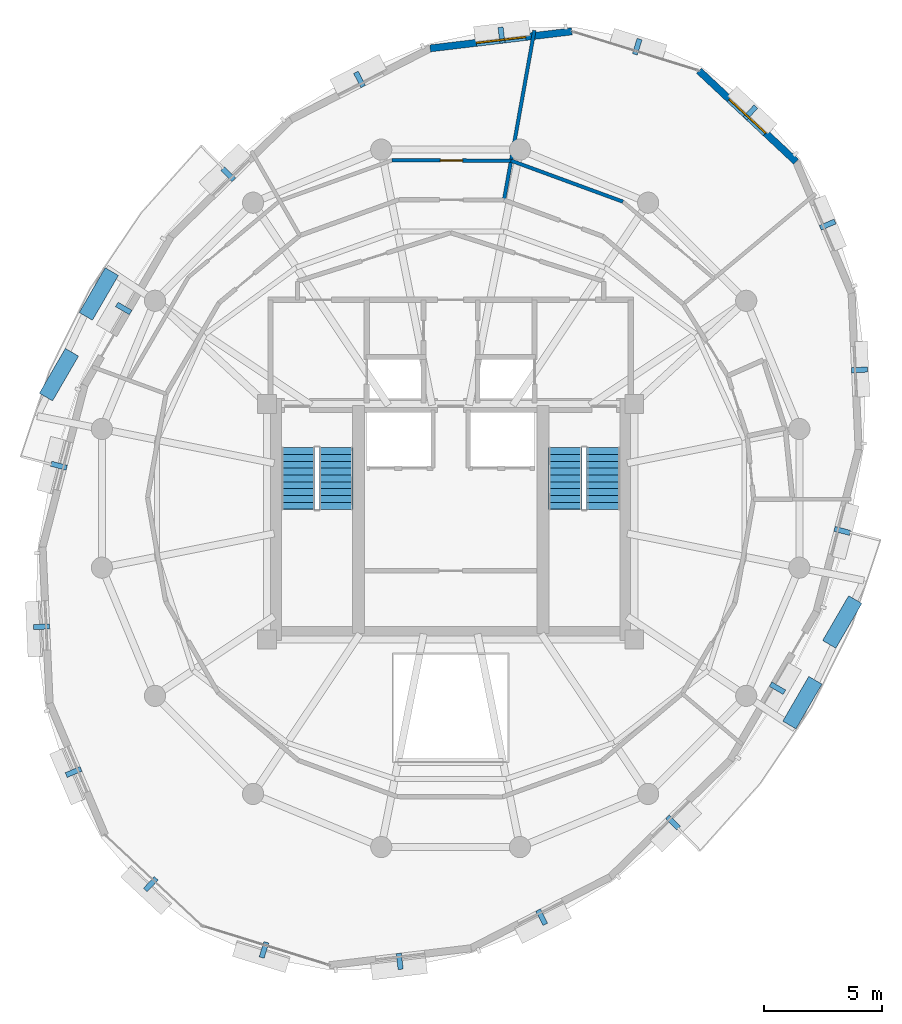
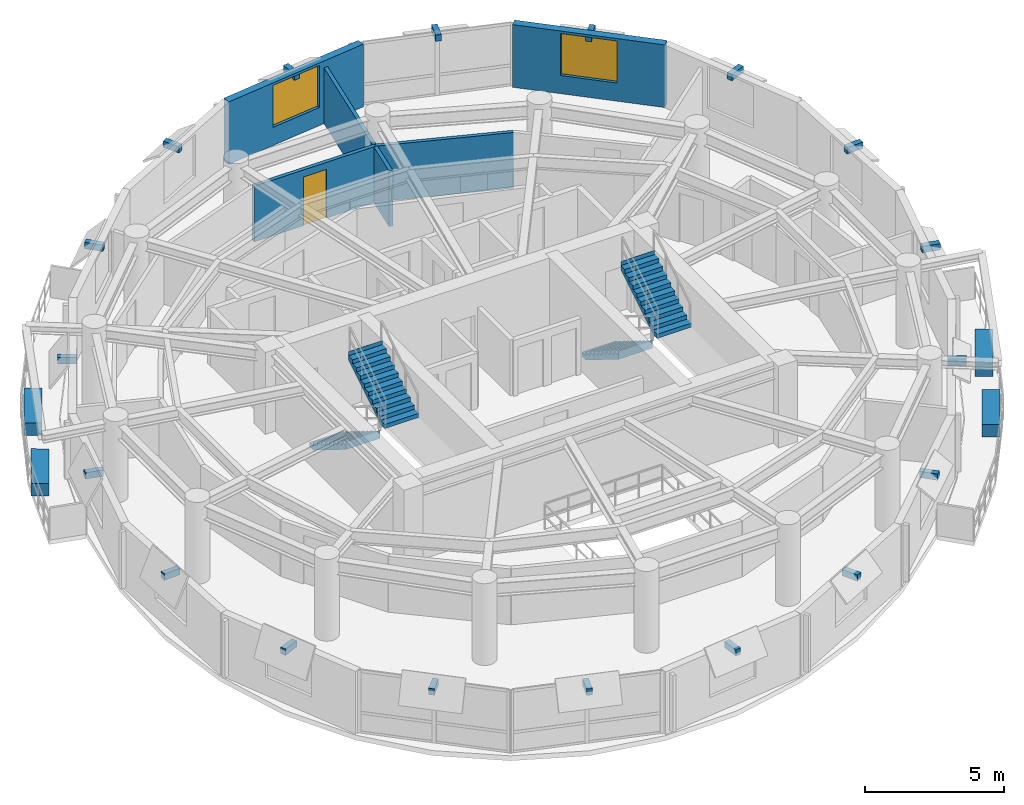
# One storey, part 9 of 11: 22 discrete accessories, 5 walls, 4 stair flights, 2 windows, 1 door, 3 openings, 2 elements without a shape of their own.
"""IFC4 building model written with IfcOpenShell, lengths in metres."""

from ifc_helpers import new_model, si_unit, direction, frame, frame_2d, origin, origin_2d, place, context, subcontext, project, spatial, polyline, rectangle, outline, extrude, material, layer, layer_set, type_object, element, fill, aggregate, save


model = new_model("IFC4")

# Units and contexts
model_context = context("Model", 3, precision=1e-05, world=origin(), true_north=direction((0.0, 1.0)))
body_context = subcontext(model_context, "Body", "Model", "MODEL_VIEW")
ifc_project = project(units=[si_unit("LENGTHUNIT", "METRE"), si_unit("AREAUNIT", "SQUARE_METRE"), si_unit("VOLUMEUNIT", "CUBIC_METRE"), si_unit("PLANEANGLEUNIT", "RADIAN"), si_unit("MASSUNIT", "GRAM", prefix="KILO"), si_unit("THERMODYNAMICTEMPERATUREUNIT", "KELVIN"), si_unit("POWERUNIT", "WATT")], contexts=[model_context])

# Site, building, storey
site_placement = place(None, origin())
site = spatial("IfcSite", under=ifc_project, at=site_placement, CompositionType="ELEMENT")
building_placement = place(site_placement, origin())
building = spatial("IfcBuilding", under=site, at=building_placement, Name="Ocrelia Relay Tower", CompositionType="ELEMENT")
storey_placement = place(building_placement, frame((0.0, 0.0, 277.199951171875)))
storey = spatial("IfcBuildingStorey", under=building, at=storey_placement, Name="L69", CompositionType="ELEMENT", Elevation=277.199951171875)

# Wall, opening, window
ifc_material_1 = material(Name="Precast concrete C40/50 with oxide terracotta", Category="masonry")
ifc_layer_1 = layer(ifc_material_1, 0.300048828125, Name="Precast concrete C40/50 with oxide terracotta")
ifc_layer_set_1 = layer_set([ifc_layer_1], Name="Precast concrete C40/50 with oxide terracotta")
wall_type_1 = type_object("IfcWallType", Name="W-EXT-TERR-300", PredefinedType="SOLIDWALL", material=ifc_layer_set_1)
wall_1_placement = place(storey_placement, frame((39.14990234375, 45.82958984375, 0.0), z_axis=(0.0, 0.0, 1.0), x_axis=(-0.992897596108, -0.118972112883, 0.0)))
wall_1 = element("IfcWall", 1, at=wall_1_placement, inside=storey, type_object=wall_type_1, Name="L69 Oxide Terracotta Facade Wall 02", PredefinedType="SOLIDWALL", context=body_context, shape_type="SweptSolid", body=[
    extrude(rectangle(XDim=6.061767578125, YDim=0.300048828125, at=frame_2d((3.03076171875, 0.0))), origin(), (0.0, 0.0, 1.0), 2.760009765625),
])
opening_1_placement = place(wall_1_placement, frame((1.98095703125, 0.0, 0.800048828125)))
opening_1 = element("IfcOpeningElement", 2, at=opening_1_placement, cuts=wall_1, Name="Opening W-07", PredefinedType="OPENING", context=body_context, shape_type="SweptSolid", body=[
    extrude(rectangle(XDim=2.10009765625, YDim=1.85009765625, at=frame_2d((1.050048828125, 0.925048828125))), frame((0.0, 0.16015625, 0.0), z_axis=(0.0, -1.0, 0.0), x_axis=(1.0, 0.0, 0.0)), (0.0, 0.0, 1.0), 0.320068359375),
])
ifc_material_2 = material(Name="Clear double-glazed low-E glass", Category="glass")
window_type = type_object("IfcWindowType", Name="WIN-Z4-2100x2200", PartitioningType="DOUBLE_PANEL_VERTICAL", PredefinedType="WINDOW", material=ifc_material_2)
window_1_placement = place(opening_1_placement, origin())
window_1 = element("IfcWindow", 3, at=window_1_placement, inside=storey, type_object=window_type, Name="L69 Facade Module Window 02", OverallHeight=1.85009765625, OverallWidth=2.10009765625, PartitioningType="SINGLE_PANEL", PredefinedType="WINDOW", context=body_context, shape_type="SweptSolid", body=[
    extrude(rectangle(XDim=2.10009765625, YDim=1.85009765625, at=frame_2d((1.050048828125, 0.925048828125))), frame((0.0, 0.030029296875, 0.0), z_axis=(0.0, -1.0, 0.0), x_axis=(1.0, 0.0, 0.0)), (0.0, 0.0, 1.0), 0.06005859375),
])
fill(opening_1, window_1)

wall_2_placement = place(storey_placement, frame((48.673095703125, 40.298095703125, 0.0), z_axis=(0.0, 0.0, 1.0), x_axis=(-0.730137889504, 0.68329983339, 0.0)))
wall_2 = element("IfcWall", 4, at=wall_2_placement, inside=storey, type_object=wall_type_1, Name="L69 Oxide Terracotta Facade Wall 18", PredefinedType="SOLIDWALL", context=body_context, shape_type="SweptSolid", body=[
    extrude(rectangle(XDim=5.650390625, YDim=0.300048828125, at=frame_2d((2.8251953125, 0.0))), origin(), (0.0, 0.0, 1.0), 2.760009765625),
])
opening_2_placement = place(wall_2_placement, frame((1.77490234375, 0.0, 0.800048828125)))
opening_2 = element("IfcOpeningElement", 5, at=opening_2_placement, cuts=wall_2, Name="Opening W-07", PredefinedType="OPENING", context=body_context, shape_type="SweptSolid", body=[
    extrude(rectangle(XDim=2.10009765625, YDim=1.85009765625, at=frame_2d((1.050048828125, 0.925048828125))), frame((0.0, 0.16015625, 0.0), z_axis=(0.0, -1.0, 0.0), x_axis=(1.0, 0.0, 0.0)), (0.0, 0.0, 1.0), 0.320068359375),
])
window_2_placement = place(opening_2_placement, origin())
window_2 = element("IfcWindow", 6, at=window_2_placement, inside=storey, type_object=window_type, Name="L69 Facade Module Window 18", OverallHeight=1.85009765625, OverallWidth=2.10009765625, PartitioningType="SINGLE_PANEL", PredefinedType="WINDOW", context=body_context, shape_type="SweptSolid", body=[
    extrude(rectangle(XDim=2.10009765625, YDim=1.85009765625, at=frame_2d((1.050048828125, 0.925048828125))), frame((0.0, 0.030029296875, 0.0), z_axis=(0.0, -1.0, 0.0), x_axis=(1.0, 0.0, 0.0)), (0.0, 0.0, 1.0), 0.06005859375),
])
fill(opening_2, window_2)

# Walls
ifc_material_3 = material(Name="Acoustic Fireboard Partition EI60", Category="gypsum")
ifc_layer_2 = layer(ifc_material_3, 0.14990234375, Name="Acoustic Fireboard Partition EI60")
ifc_layer_set_2 = layer_set([ifc_layer_2], Name="Acoustic Fireboard Partition EI60")
wall_type_2 = type_object("IfcWallType", Name="W-PART-150", PredefinedType="PARTITIONING", material=ifc_layer_set_2)
wall_3_placement = place(storey_placement, frame((36.26806640625, 38.668701171875, 0.0), z_axis=(0.0, 0.0, 1.0), x_axis=(0.176213223455, 0.984352020306, 0.0)))
element("IfcWall", 7, at=wall_3_placement, inside=storey, type_object=wall_type_2, Name="L69 Executive Dining Salon Radial Partition", PredefinedType="PARTITIONING", context=body_context, shape_type="SweptSolid", body=[
    extrude(rectangle(XDim=7.318115234375, YDim=0.14990234375, at=frame_2d((3.6591796875, 0.0))), origin(), (0.0, 0.0, 1.0), 2.4599609375),
])
wall_4_placement = place(storey_placement, frame((41.318115234375, 38.598876953125, 0.0), z_axis=(0.0, 0.0, 1.0), x_axis=(-0.938792079833, 0.344484296948, 0.0)))
element("IfcWall", 8, at=wall_4_placement, inside=storey, type_object=wall_type_2, Name="L69 Perimeter Executive Dining Salon Mid-Ring Partition 2", PredefinedType="PARTITIONING", context=body_context, shape_type="SweptSolid", body=[
    extrude(rectangle(XDim=5.060302734375, YDim=0.14990234375, at=frame_2d((2.5302734375, 0.0))), origin(), (0.0, 0.0, 1.0), 2.4599609375),
])

# Wall, opening, door
wall_5_placement = place(storey_placement, frame((36.567626953125, 40.342041015625, 0.0), z_axis=(0.0, 0.0, 1.0), x_axis=(-0.999996605902, 0.002605414297, 0.0)))
wall_5 = element("IfcWall", 9, at=wall_5_placement, inside=storey, type_object=wall_type_2, Name="L69 Perimeter Hospitality Banquet Room Mid-Ring Partition 1", PredefinedType="PARTITIONING", context=body_context, shape_type="SweptSolid", body=[
    extrude(rectangle(XDim=5.06005859375, YDim=0.14990234375, at=frame_2d((2.530029296875, 0.0))), origin(), (0.0, 0.0, 1.0), 2.4599609375),
])
opening_3_placement = place(wall_5_placement, frame((2.05517578125, 0.0, 0.0)))
opening_3 = element("IfcOpeningElement", 10, at=opening_3_placement, cuts=wall_5, Name="Opening D-RM95", PredefinedType="OPENING", context=body_context, shape_type="SweptSolid", body=[
    extrude(rectangle(XDim=0.949951171875, YDim=2.14990234375, at=frame_2d((0.47509765625, 1.074951171875))), frame((0.0, 0.0849609375, 0.0), z_axis=(0.0, -1.0, 0.0), x_axis=(1.0, 0.0, 0.0)), (0.0, 0.0, 1.0), 0.169921875),
])
ifc_material_4 = material(Name="Acoustic oak veneer fire door", Category="wood")
door_type = type_object("IfcDoorType", Name="DR-ROOM-950", OperationType="NOTDEFINED", PredefinedType="DOOR", material=ifc_material_4)
door_placement = place(opening_3_placement, origin())
door = element("IfcDoor", 11, at=door_placement, inside=storey, type_object=door_type, Name="L69 Perimeter Hospitality Banquet Room Connecting Door", OperationType="SINGLE_SWING_RIGHT", OverallHeight=2.14990234375, OverallWidth=0.949951171875, PredefinedType="DOOR", context=body_context, shape_type="SweptSolid", body=[
    extrude(rectangle(XDim=0.949951171875, YDim=2.14990234375, at=frame_2d((0.47509765625, 1.074951171875))), frame((0.0, 0.02490234375, 0.0), z_axis=(0.0, -1.0, 0.0), x_axis=(1.0, 0.0, 0.0)), (0.0, 0.0, 1.0), 0.050048828125),
])
fill(opening_3, door)

# Stair, stair flights
ifc_material_5 = material(Name="Concrete C50/60", Category="concrete")
stair_type = type_object("IfcStairType", Name="ST-DL-1420-R180", PredefinedType="HALF_TURN_STAIR", material=ifc_material_5)
stair_1_placement = place(storey_placement, origin())
stair_1 = element("IfcStair", 12, at=stair_1_placement, inside=storey, type_object=stair_type, Name="L69 West Core Exit Stair ST1", PredefinedType="HALF_TURN_STAIR")
stair_flight_type = type_object("IfcStairFlightType", Name="STF-DL-1420-R180", PredefinedType="STRAIGHT", material=ifc_material_5)
stair_flight_1_placement = place(storey_placement, frame((27.52001953125, 28.14990234375, 0.0), z_axis=(0.0, 0.0, 1.0), x_axis=(0.0, -1.0, 0.0)))
stair_flight_1 = element("IfcStairFlight", 13, at=stair_flight_1_placement, type_object=stair_flight_type, Name="ST1 flight 1", NumberOfRisers=10, NumberOfTreads=9, PredefinedType="STRAIGHT", RiserHeight=0.18, TreadLength=0.29, context=body_context, shape_type="SweptSolid", body=[
    extrude(outline(polyline([(-0.008056640625, 0.0), (-0.008056640625, 0.179931640625), (0.0, 0.179931640625), (0.2900390625, 0.179931640625), (0.2900390625, 0.360107421875), (0.580078125, 0.360107421875), (0.580078125, 0.5400390625), (0.8701171875, 0.5400390625), (0.8701171875, 0.719970703125), (1.159912109375, 0.719970703125), (1.159912109375, 0.89990234375), (1.449951171875, 0.89990234375), (1.449951171875, 1.080078125), (1.739990234375, 1.080078125), (1.739990234375, 1.260009765625), (2.030029296875, 1.260009765625), (2.030029296875, 1.43994140625), (2.320068359375, 1.43994140625), (2.320068359375, 1.6201171875), (2.610107421875, 1.6201171875), (2.610107421875, 1.800048828125), (2.617919921875, 1.800048828125), (2.617919921875, 1.443603515625), (0.2841796875, 0.0), (-0.008056640625, 0.0)])), frame((0.0, 0.7099609375, 0.0), z_axis=(0.0, -1.0, 0.0), x_axis=(1.0, 0.0, 0.0)), (0.0, 0.0, 1.0), 1.419921875),
])
stair_flight_2_placement = place(storey_placement, frame((29.139892578125, 25.5400390625, 1.800048828125), z_axis=(0.0, 0.0, 1.0), x_axis=(0.0, 1.0, 0.0)))
stair_flight_2 = element("IfcStairFlight", 14, at=stair_flight_2_placement, type_object=stair_flight_type, Name="ST1 flight 2", NumberOfRisers=10, NumberOfTreads=9, PredefinedType="STRAIGHT", RiserHeight=0.18, TreadLength=0.29, context=body_context, shape_type="SweptSolid", body=[
    extrude(outline(polyline([(-0.008056640625, 0.0), (-0.008056640625, 0.179931640625), (0.0, 0.179931640625), (0.2900390625, 0.179931640625), (0.2900390625, 0.360107421875), (0.580078125, 0.360107421875), (0.580078125, 0.5400390625), (0.8701171875, 0.5400390625), (0.8701171875, 0.719970703125), (1.159912109375, 0.719970703125), (1.159912109375, 0.89990234375), (1.449951171875, 0.89990234375), (1.449951171875, 1.080078125), (1.739990234375, 1.080078125), (1.739990234375, 1.260009765625), (2.030029296875, 1.260009765625), (2.030029296875, 1.43994140625), (2.320068359375, 1.43994140625), (2.320068359375, 1.6201171875), (2.610107421875, 1.6201171875), (2.610107421875, 1.800048828125), (2.617919921875, 1.800048828125), (2.617919921875, 1.443603515625), (0.2841796875, 0.0), (-0.008056640625, 0.0)])), frame((0.0, 0.7099609375, 0.0), z_axis=(0.0, -1.0, 0.0), x_axis=(1.0, 0.0, 0.0)), (0.0, 0.0, 1.0), 1.419921875),
])
aggregate(stair_1, [stair_flight_1, stair_flight_2])

stair_2_placement = place(storey_placement, origin())
stair_2 = element("IfcStair", 15, at=stair_2_placement, inside=storey, type_object=stair_type, Name="L69 East Core Exit Stair ST2", PredefinedType="HALF_TURN_STAIR")
stair_flight_3_placement = place(storey_placement, frame((38.8701171875, 28.14990234375, 0.0), z_axis=(0.0, 0.0, 1.0), x_axis=(0.0, -1.0, 0.0)))
stair_flight_3 = element("IfcStairFlight", 16, at=stair_flight_3_placement, type_object=stair_flight_type, Name="ST2 flight 1", NumberOfRisers=10, NumberOfTreads=9, PredefinedType="STRAIGHT", RiserHeight=0.18, TreadLength=0.29, context=body_context, shape_type="SweptSolid", body=[
    extrude(outline(polyline([(-0.008056640625, 0.0), (-0.008056640625, 0.179931640625), (0.0, 0.179931640625), (0.2900390625, 0.179931640625), (0.2900390625, 0.360107421875), (0.580078125, 0.360107421875), (0.580078125, 0.5400390625), (0.8701171875, 0.5400390625), (0.8701171875, 0.719970703125), (1.159912109375, 0.719970703125), (1.159912109375, 0.89990234375), (1.449951171875, 0.89990234375), (1.449951171875, 1.080078125), (1.739990234375, 1.080078125), (1.739990234375, 1.260009765625), (2.030029296875, 1.260009765625), (2.030029296875, 1.43994140625), (2.320068359375, 1.43994140625), (2.320068359375, 1.6201171875), (2.610107421875, 1.6201171875), (2.610107421875, 1.800048828125), (2.617919921875, 1.800048828125), (2.617919921875, 1.443603515625), (0.2841796875, 0.0), (-0.008056640625, 0.0)])), frame((0.0, 0.7099609375, 0.0), z_axis=(0.0, -1.0, 0.0), x_axis=(1.0, 0.0, 0.0)), (0.0, 0.0, 1.0), 1.419921875),
])
stair_flight_4_placement = place(storey_placement, frame((40.489990234375, 25.5400390625, 1.800048828125), z_axis=(0.0, 0.0, 1.0), x_axis=(0.0, 1.0, 0.0)))
stair_flight_4 = element("IfcStairFlight", 17, at=stair_flight_4_placement, type_object=stair_flight_type, Name="ST2 flight 2", NumberOfRisers=10, NumberOfTreads=9, PredefinedType="STRAIGHT", RiserHeight=0.18, TreadLength=0.29, context=body_context, shape_type="SweptSolid", body=[
    extrude(outline(polyline([(-0.008056640625, 0.0), (-0.008056640625, 0.179931640625), (0.0, 0.179931640625), (0.2900390625, 0.179931640625), (0.2900390625, 0.360107421875), (0.580078125, 0.360107421875), (0.580078125, 0.5400390625), (0.8701171875, 0.5400390625), (0.8701171875, 0.719970703125), (1.159912109375, 0.719970703125), (1.159912109375, 0.89990234375), (1.449951171875, 0.89990234375), (1.449951171875, 1.080078125), (1.739990234375, 1.080078125), (1.739990234375, 1.260009765625), (2.030029296875, 1.260009765625), (2.030029296875, 1.43994140625), (2.320068359375, 1.43994140625), (2.320068359375, 1.6201171875), (2.610107421875, 1.6201171875), (2.610107421875, 1.800048828125), (2.617919921875, 1.800048828125), (2.617919921875, 1.443603515625), (0.2841796875, 0.0), (-0.008056640625, 0.0)])), frame((0.0, 0.7099609375, 0.0), z_axis=(0.0, -1.0, 0.0), x_axis=(1.0, 0.0, 0.0)), (0.0, 0.0, 1.0), 1.419921875),
])
aggregate(stair_2, [stair_flight_3, stair_flight_4])

# Discrete accessories
ifc_material_6 = material(Name="Precast concrete C40/50 planter with highland greenery", Category="concrete")
discrete_accessory_type_1 = type_object("IfcDiscreteAccessoryType", Name="ACC-BALC-PLANTER", PredefinedType="USERDEFINED", material=ifc_material_6)
for number, where, z_axis, x_axis, name in (
    (18, (19.06005859375, 34.677734375, 0.0), (0.0, 0.0, 1.0), (0.502251988514, 0.864721307725, 0.0), "L69 Balcony Terracotta Planter with Greenery B1"),
    (19, (17.36669921875, 31.251708984375, 0.0), (0.0, 0.0, 1.0), (0.502251988514, 0.864721307725, 0.0), "L69 Balcony Terracotta Planter B1-2"),
    (20, (48.93994140625, 17.322265625, 0.0), (0.0, 0.0, 1.0), (-0.502251988514, -0.864721307725, 0.0), "L69 Balcony Terracotta Planter with Greenery B2"),
    (21, (50.63330078125, 20.748291015625, 0.0), (0.0, 0.0, 1.0), (-0.502251988514, -0.864721307725, 0.0), "L69 Balcony Terracotta Planter B2-2"),
):
    element("IfcDiscreteAccessory", number, at=place(storey_placement, frame(where, z_axis=z_axis, x_axis=x_axis)), inside=storey, type_object=discrete_accessory_type_1, Name=name, ObjectType="PLANTER", PredefinedType="USERDEFINED", context=body_context, shape_type="SweptSolid", body=[
        extrude(rectangle(XDim=2.199951171875, YDim=0.64990234375, at=origin_2d()), origin(), (0.0, 0.0, 1.0), 0.550048828125),
    ])
ifc_material_7 = material(Name="Steel S355", Category="steel")
discrete_accessory_type_2 = type_object("IfcDiscreteAccessoryType", Name="ACC-VISOR-BRACKET", PredefinedType="BRACKET", material=ifc_material_7)
for number, where, z_axis, x_axis, name in (
    (22, (41.925048828125, 45.17919921875, 2.4599609375), (0.0, 0.0, 1.0), (-0.955291722737, 0.295664885419, 0.0), "L69 Visor Mounting Bracket 01"),
    (23, (36.162353515625, 45.66796875, 2.4599609375), (0.0, 0.0, 1.0), (-0.992899379965, -0.118957224519, 0.0), "L69 Visor Mounting Bracket 02"),
    (24, (30.131591796875, 43.791015625, 2.4599609375), (0.0, 0.0, 1.0), (-0.890240071717, -0.455491618704, 0.0), "L69 Visor Mounting Bracket 03"),
    (25, (24.555908203125, 39.7646484375, 2.4599609375), (0.0, 0.0, 1.0), (-0.716196984998, -0.697898186471, 0.0), "L69 Visor Mounting Bracket 04"),
    (26, (20.11669921875, 34.064208984375, 2.4599609375), (0.0, 0.0, 1.0), (-0.502258892697, -0.864717297564, 0.0), "L69 Visor Mounting Bracket 05"),
    (27, (17.364501953125, 27.383544921875, 2.4599609375), (0.0, 0.0, 1.0), (-0.251378187557, -0.967888943433, 0.0), "L69 Visor Mounting Bracket 06"),
    (28, (16.629638671875, 20.54541015625, 2.4599609375), (0.0, 0.0, 1.0), (0.045430193971, -0.998967515726, 0.0), "L69 Visor Mounting Bracket 07"),
    (29, (17.9873046875, 14.377197265625, 2.4599609375), (0.0, 0.0, 1.0), (0.388610789327, -0.921402004783, 0.0), "L69 Visor Mounting Bracket 08"),
    (30, (21.26708984375, 9.613525390625, 2.4599609375), (0.0, 0.0, 1.0), (0.730125282793, -0.683313304003, 0.0), "L69 Visor Mounting Bracket 09"),
    (31, (26.074951171875, 6.82080078125, 2.4599609375), (0.0, 0.0, 1.0), (0.955291722737, -0.295664885419, 0.0), "L69 Visor Mounting Bracket 10"),
    (32, (31.837646484375, 6.33203125, 2.4599609375), (0.0, 0.0, 1.0), (0.992899379965, 0.118957224519, 0.0), "L69 Visor Mounting Bracket 11"),
    (33, (37.868408203125, 8.208984375, 2.4599609375), (0.0, 0.0, 1.0), (0.890240071717, 0.455491618704, 0.0), "L69 Visor Mounting Bracket 12"),
    (34, (43.444091796875, 12.2353515625, 2.4599609375), (0.0, 0.0, 1.0), (0.716196984998, 0.697898186471, 0.0), "L69 Visor Mounting Bracket 13"),
    (35, (47.88330078125, 17.935791015625, 2.4599609375), (0.0, 0.0, 1.0), (0.502258892697, 0.864717297564, 0.0), "L69 Visor Mounting Bracket 14"),
    (36, (50.635498046875, 24.616455078125, 2.4599609375), (0.0, 0.0, 1.0), (0.251378187557, 0.967888943433, 0.0), "L69 Visor Mounting Bracket 15"),
    (37, (51.370361328125, 31.45458984375, 2.4599609375), (0.0, 0.0, 1.0), (-0.045430193971, 0.998967515726, 0.0), "L69 Visor Mounting Bracket 16"),
    (38, (50.0126953125, 37.622802734375, 2.4599609375), (0.0, 0.0, 1.0), (-0.388610789327, 0.921402004783, 0.0), "L69 Visor Mounting Bracket 17"),
    (39, (46.73291015625, 42.386474609375, 2.4599609375), (0.0, 0.0, 1.0), (-0.730125282793, 0.683313304003, 0.0), "L69 Visor Mounting Bracket 18"),
):
    element("IfcDiscreteAccessory", number, at=place(storey_placement, frame(where, z_axis=z_axis, x_axis=x_axis)), inside=storey, type_object=discrete_accessory_type_2, Name=name, PredefinedType="BRACKET", context=body_context, shape_type="SweptSolid", body=[
        extrude(rectangle(XDim=0.219970703125, YDim=0.679931640625, at=origin_2d()), origin(), (0.0, 0.0, 1.0), 0.280029296875),
    ])

save(model, "model.ifc")
